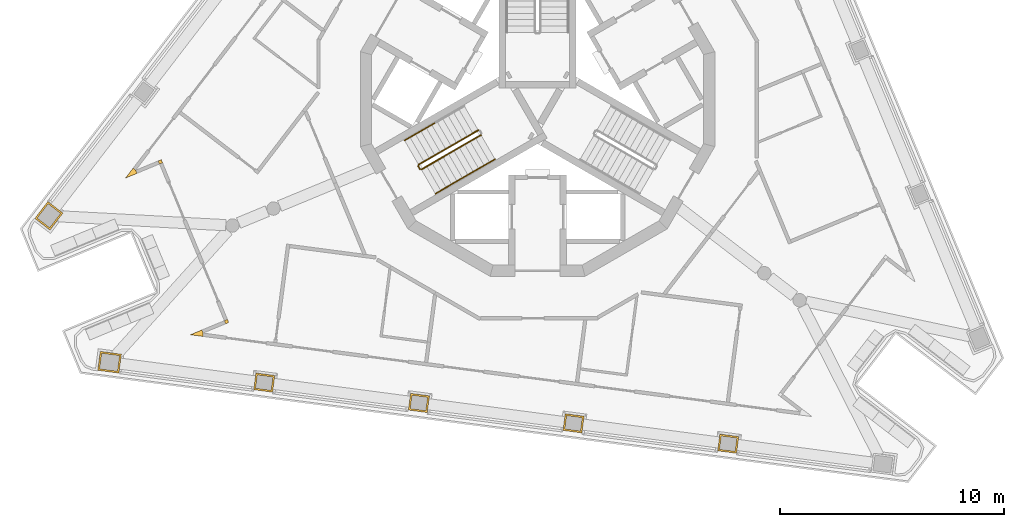
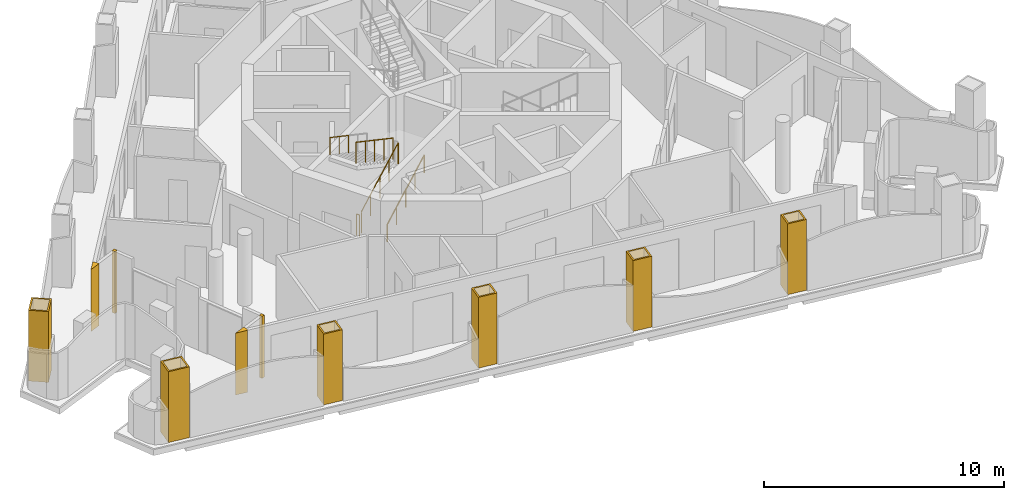
# One storey, part 7 of 12: 10 coverings, 6 railings.
"""IFC4 building model written with IfcOpenShell, lengths in metres."""

from ifc_helpers import new_model, si_unit, direction, frame, origin, origin_2d, place, context, subcontext, project, spatial, polyline, circle, outline, extrude, material, layer, layer_set, type_object, element, save


model = new_model("IFC4")

# Units and contexts
model_context = context("Model", 3, precision=1e-05, world=origin(), true_north=direction((0.0, 1.0)))
body_context = subcontext(model_context, "Body", "Model", "MODEL_VIEW")
ifc_project = project(units=[si_unit("LENGTHUNIT", "METRE"), si_unit("AREAUNIT", "SQUARE_METRE"), si_unit("VOLUMEUNIT", "CUBIC_METRE"), si_unit("PLANEANGLEUNIT", "RADIAN"), si_unit("MASSUNIT", "GRAM", prefix="KILO")], contexts=[model_context])

# Site, building, storey
site_placement = place(None, origin())
site = spatial("IfcSite", under=ifc_project, at=site_placement, CompositionType="ELEMENT")
building_placement = place(site_placement, origin())
building = spatial("IfcBuilding", under=site, at=building_placement, Name="Trine Commons Tower", CompositionType="ELEMENT")
storey_placement = place(building_placement, frame((0.0, 0.0, 297.0)))
storey = spatial("IfcBuildingStorey", under=building, at=storey_placement, Name="L78", CompositionType="ELEMENT", Elevation=297.0)

# Coverings
ifc_material_1 = material(Name="Aluminium-framed insulated wall panel", Category="aluminium")
ifc_layer_1 = layer(ifc_material_1, 0.14990234375)
ifc_layer_set_1 = layer_set([ifc_layer_1], Name="Aluminium-framed insulated wall panel")
covering_type_1 = type_object("IfcCoveringType", Name="Glazing corner post, aluminium", PredefinedType="CLADDING", material=ifc_layer_set_1)
covering_1_placement = place(storey_placement, origin())
element("IfcCovering", 1, at=covering_1_placement, inside=storey, type_object=covering_type_1, Name="Glazing corner post 8-01", PredefinedType="CLADDING", context=body_context, shape_type="SweptSolid", body=[
    extrude(outline(polyline([(62.0380859375, 59.324462890625), (61.919189453125, 59.416015625), (61.578369140625, 58.9716796875), (62.095458984375, 59.18603515625), (62.0380859375, 59.324462890625), (62.0380859375, 59.324462890625)])), origin(), (0.0, 0.0, 1.0), 3.14990234375),
])
covering_2_placement = place(storey_placement, origin())
element("IfcCovering", 2, at=covering_2_placement, inside=storey, type_object=covering_type_1, Name="Glazing corner post 8-10", PredefinedType="CLADDING", context=body_context, shape_type="SweptSolid", body=[
    extrude(outline(polyline([(65.033935546875, 51.895751953125), (65.0537109375, 52.04443359375), (64.99609375, 52.18310546875), (64.47900390625, 51.96875), (65.033935546875, 51.895751953125)])), origin(), (0.0, 0.0, 1.0), 3.14990234375),
])
covering_3_placement = place(storey_placement, origin())
element("IfcCovering", 3, at=covering_3_placement, inside=storey, type_object=covering_type_1, Name="Glazing corner post 8-11", PredefinedType="CLADDING", context=body_context, shape_type="SweptSolid", body=[
    extrude(outline(polyline([(66.056640625, 52.4599609375), (66.1953125, 52.517333984375), (66.137939453125, 52.65576171875), (65.999267578125, 52.598388671875), (66.056640625, 52.4599609375)])), origin(), (0.0, 0.0, 1.0), 3.14990234375),
])
covering_4_placement = place(storey_placement, origin())
element("IfcCovering", 4, at=covering_4_placement, inside=storey, type_object=covering_type_1, Name="Glazing corner post 8-12", PredefinedType="CLADDING", context=body_context, shape_type="SweptSolid", body=[
    extrude(outline(polyline([(63.041015625, 59.739990234375), (63.098388671875, 59.601318359375), (63.237060546875, 59.658935546875), (63.1796875, 59.79736328125), (63.041015625, 59.739990234375)])), origin(), (0.0, 0.0, 1.0), 3.14990234375),
])
ifc_material_2 = material(Name="Limestone, honed", Category="masonry")
ifc_layer_2 = layer(ifc_material_2, 0.074951171875)
ifc_layer_set_2 = layer_set([ifc_layer_2], Name="Limestone, honed")
covering_type_2 = type_object("IfcCoveringType", Name="Limestone column cladding 75", PredefinedType="CLADDING", material=ifc_layer_set_2)
covering_5_placement = place(storey_placement, origin())
element("IfcCovering", 5, at=covering_5_placement, inside=storey, type_object=covering_type_2, Name="Limestone pier cladding 8-02", PredefinedType="CLADDING", context=body_context, shape_type="SweptSolid", body=[
    extrude(outline(polyline([(88.1494140625, 47.526123046875), (88.051513671875, 46.78271484375), (88.89404296875, 46.671630859375), (88.991943359375, 47.415283203125), (88.1494140625, 47.526123046875)]), holes=[polyline([(88.2138671875, 47.44189453125), (88.135498046875, 46.84716796875), (88.82958984375, 46.755859375), (88.907958984375, 47.3505859375), (88.2138671875, 47.44189453125)])]), origin(), (0.0, 0.0, 1.0), 3.60009765625),
])
covering_6_placement = place(storey_placement, origin())
element("IfcCovering", 6, at=covering_6_placement, inside=storey, type_object=covering_type_2, Name="Limestone pier cladding 8-03", PredefinedType="CLADDING", context=body_context, shape_type="SweptSolid", body=[
    extrude(outline(polyline([(81.236328125, 48.436279296875), (81.138427734375, 47.692626953125), (81.981201171875, 47.581787109375), (82.0791015625, 48.3251953125), (81.236328125, 48.436279296875)]), holes=[polyline([(81.30078125, 48.35205078125), (81.222412109375, 47.75732421875), (81.91650390625, 47.666015625), (81.994873046875, 48.2607421875), (81.30078125, 48.35205078125)])]), origin(), (0.0, 0.0, 1.0), 3.60009765625),
])
covering_7_placement = place(storey_placement, origin())
element("IfcCovering", 7, at=covering_7_placement, inside=storey, type_object=covering_type_2, Name="Limestone pier cladding 8-04", PredefinedType="CLADDING", context=body_context, shape_type="SweptSolid", body=[
    extrude(outline(polyline([(74.3232421875, 49.346435546875), (74.225341796875, 48.602783203125), (75.068115234375, 48.49169921875), (75.166015625, 49.2353515625), (74.3232421875, 49.346435546875)]), holes=[polyline([(74.3876953125, 49.26220703125), (74.309326171875, 48.66748046875), (75.00341796875, 48.575927734375), (75.081787109375, 49.1708984375), (74.3876953125, 49.26220703125)])]), origin(), (0.0, 0.0, 1.0), 3.60009765625),
])
covering_8_placement = place(storey_placement, origin())
element("IfcCovering", 8, at=covering_8_placement, inside=storey, type_object=covering_type_2, Name="Limestone pier cladding 8-05", PredefinedType="CLADDING", context=body_context, shape_type="SweptSolid", body=[
    extrude(outline(polyline([(67.41015625, 50.256591796875), (67.312255859375, 49.512939453125), (68.15478515625, 49.40185546875), (68.252685546875, 50.1455078125), (67.41015625, 50.256591796875)]), holes=[polyline([(67.474609375, 50.17236328125), (67.396240234375, 49.577392578125), (68.09033203125, 49.486083984375), (68.168701171875, 50.080810546875), (67.474609375, 50.17236328125)])]), origin(), (0.0, 0.0, 1.0), 3.60009765625),
])
covering_9_placement = place(storey_placement, origin())
element("IfcCovering", 9, at=covering_9_placement, inside=storey, type_object=covering_type_2, Name="Limestone pier cladding 8-06", PredefinedType="CLADDING", context=body_context, shape_type="SweptSolid", body=[
    extrude(outline(polyline([(60.4541015625, 51.22265625), (60.343017578125, 50.3798828125), (61.284912109375, 50.255859375), (61.39599609375, 51.0986328125), (60.4541015625, 51.22265625)]), holes=[polyline([(60.5185546875, 51.138427734375), (60.42724609375, 50.444580078125), (61.220458984375, 50.340087890625), (61.311767578125, 51.0341796875), (60.5185546875, 51.138427734375)])]), origin(), (0.0, 0.0, 1.0), 3.60009765625),
])
covering_10_placement = place(storey_placement, origin())
element("IfcCovering", 10, at=covering_10_placement, inside=storey, type_object=covering_type_2, Name="Limestone pier cladding 8-07", PredefinedType="CLADDING", context=body_context, shape_type="SweptSolid", body=[
    extrude(outline(polyline([(58.782958984375, 57.40673828125), (58.108642578125, 57.92431640625), (57.5302734375, 57.170654296875), (58.20458984375, 56.653076171875), (58.782958984375, 57.40673828125)]), holes=[polyline([(58.677734375, 57.39306640625), (58.122314453125, 57.819091796875), (57.635498046875, 57.184326171875), (58.19091796875, 56.75830078125), (58.677734375, 57.39306640625)])]), origin(), (0.0, 0.0, 1.0), 3.60009765625),
])

# Railings
ifc_material_3 = material(Name="Stainless steel balustrade", Category="steel")
railing_type_1 = type_object("IfcRailingType", Name="Stair guard, steel balustrade 1100", PredefinedType="GUARDRAIL", material=ifc_material_3)
railing_1_placement = place(storey_placement, frame((74.80517578125, 59.3564453125, 0.14990234375)))
element("IfcRailing", 11, at=railing_1_placement, inside=storey, type_object=railing_type_1, Name="L78 ST2D stair guard 1", PredefinedType="GUARDRAIL", context=body_context, shape_type="SweptSolid", body=[
    extrude(circle(Radius=0.02392578125, at=origin_2d()), frame((0.0, 0.0, 1.076171875), z_axis=(0.763379768245, 0.440728498818, 0.472239049384), x_axis=(-0.499992328818, 0.866029832698, 0.0)), (0.0, 0.0, 1.0), 3.494384765625),
    extrude(circle(Radius=0.02099609375, at=origin_2d()), origin(), (0.0, 0.0, 1.0), 1.052001953125),
    extrude(circle(Radius=0.02099609375, at=origin_2d()), frame((0.6669921875, 0.385009765625, 0.41259765625)), (0.0, 0.0, 1.0), 1.052001953125),
    extrude(circle(Radius=0.02099609375, at=origin_2d()), frame((1.333740234375, 0.77001953125, 0.8251953125)), (0.0, 0.0, 1.0), 1.052001953125),
    extrude(circle(Radius=0.02099609375, at=origin_2d()), frame((2.00048828125, 1.155029296875, 1.237548828125)), (0.0, 0.0, 1.0), 1.052001953125),
    extrude(circle(Radius=0.02099609375, at=origin_2d()), frame((2.66748046875, 1.5400390625, 1.650146484375)), (0.0, 0.0, 1.0), 1.052001953125),
])
railing_2_placement = place(storey_placement, frame((77.34765625, 61.113037109375, 1.949951171875)))
element("IfcRailing", 12, at=railing_2_placement, inside=storey, type_object=railing_type_1, Name="L78 ST2D stair guard 3", PredefinedType="GUARDRAIL", context=body_context, shape_type="SweptSolid", body=[
    extrude(circle(Radius=0.02392578125, at=origin_2d()), frame((0.0, 0.0, 1.076171875), z_axis=(-0.763379768245, -0.440728498818, 0.472239049384), x_axis=(0.499992328818, -0.866029832698, 0.0)), (0.0, 0.0, 1.0), 3.494384765625),
    extrude(circle(Radius=0.02099609375, at=origin_2d()), origin(), (0.0, 0.0, 1.0), 1.052001953125),
    extrude(circle(Radius=0.02099609375, at=origin_2d()), frame((-0.6669921875, -0.385009765625, 0.41259765625)), (0.0, 0.0, 1.0), 1.052001953125),
    extrude(circle(Radius=0.02099609375, at=origin_2d()), frame((-1.333740234375, -0.77001953125, 0.8251953125)), (0.0, 0.0, 1.0), 1.052001953125),
    extrude(circle(Radius=0.02099609375, at=origin_2d()), frame((-2.00048828125, -1.155029296875, 1.237548828125)), (0.0, 0.0, 1.0), 1.052001953125),
    extrude(circle(Radius=0.02099609375, at=origin_2d()), frame((-2.66748046875, -1.5400390625, 1.650146484375)), (0.0, 0.0, 1.0), 1.052001953125),
])
railing_3_placement = place(storey_placement, frame((74.73681640625, 59.374755859375, 0.0)))
element("IfcRailing", 13, at=railing_3_placement, inside=storey, type_object=railing_type_1, Name="L78 ST2D stair guard 4", PredefinedType="GUARDRAIL", context=body_context, shape_type="SweptSolid", body=[
    extrude(circle(Radius=0.02392578125, at=origin_2d()), frame((0.0, 0.0, 1.076171875), z_axis=(-0.499816412211, 0.866131372301, 0.0), x_axis=(-0.866131372301, -0.499816412211, 0.0)), (0.0, 0.0, 1.0), 0.14990234375),
    extrude(circle(Radius=0.02099609375, at=origin_2d()), origin(), (0.0, 0.0, 1.0), 1.052001953125),
    extrude(circle(Radius=0.02099609375, at=origin_2d()), frame((-0.074951171875, 0.1298828125, 0.0)), (0.0, 0.0, 1.0), 1.052001953125),
])
ifc_material_4 = material(Name="Stainless steel handrail", Category="steel")
railing_type_2 = type_object("IfcRailingType", Name="Stair handrail, steel 900", PredefinedType="HANDRAIL", material=ifc_material_4)
railing_4_placement = place(storey_placement, frame((75.43017578125, 58.27392578125, 0.14990234375)))
element("IfcRailing", 14, at=railing_4_placement, inside=storey, type_object=railing_type_2, Name="L78 ST2D stair handrail 1", PredefinedType="HANDRAIL", context=body_context, shape_type="SweptSolid", body=[
    extrude(circle(Radius=0.02099609375, at=origin_2d()), frame((0.0, 0.0, 0.87890625), z_axis=(0.763354580307, 0.440713956853, 0.472293333596), x_axis=(-0.499992328818, 0.866029832698, 0.0)), (0.0, 0.0, 1.0), 1.747314453125),
    extrude(circle(Radius=0.01513671875, at=origin_2d()), origin(), (0.0, 0.0, 1.0), 0.85791015625),
    extrude(circle(Radius=0.01513671875, at=origin_2d()), frame((0.6669921875, 0.385009765625, 0.41259765625)), (0.0, 0.0, 1.0), 0.85791015625),
    extrude(circle(Radius=0.01513671875, at=origin_2d()), frame((1.333740234375, 0.77001953125, 0.8251953125)), (0.0, 0.0, 1.0), 0.85791015625),
])
railing_5_placement = place(storey_placement, frame((76.763916015625, 59.0439453125, 0.97509765625)))
element("IfcRailing", 15, at=railing_5_placement, inside=storey, type_object=railing_type_2, Name="L78 ST2D stair handrail 2", PredefinedType="HANDRAIL", context=body_context, shape_type="SweptSolid", body=[
    extrude(circle(Radius=0.02099609375, at=origin_2d()), frame((0.0, 0.0, 0.87890625), z_axis=(0.76340495495, 0.440743040072, 0.472184759798), x_axis=(-0.499992328818, 0.866029832698, 0.0)), (0.0, 0.0, 1.0), 1.7470703125),
    extrude(circle(Radius=0.01513671875, at=origin_2d()), origin(), (0.0, 0.0, 1.0), 0.85791015625),
    extrude(circle(Radius=0.01513671875, at=origin_2d()), frame((0.6669921875, 0.385009765625, 0.41259765625)), (0.0, 0.0, 1.0), 0.85791015625),
    extrude(circle(Radius=0.01513671875, at=origin_2d()), frame((1.333740234375, 0.77001953125, 0.824951171875)), (0.0, 0.0, 1.0), 0.85791015625),
])
railing_6_placement = place(storey_placement, frame((75.388916015625, 61.425537109375, 2.77490234375)))
element("IfcRailing", 16, at=railing_6_placement, inside=storey, type_object=railing_type_2, Name="L78 ST2D stair handrail 4", PredefinedType="HANDRAIL", context=body_context, shape_type="SweptSolid", body=[
    extrude(circle(Radius=0.02099609375, at=origin_2d()), frame((0.0, 0.0, 0.87890625), z_axis=(-0.763354580307, -0.440713956853, 0.472293333596), x_axis=(0.499992328818, -0.866029832698, 0.0)), (0.0, 0.0, 1.0), 1.747314453125),
    extrude(circle(Radius=0.01513671875, at=origin_2d()), origin(), (0.0, 0.0, 1.0), 0.85791015625),
    extrude(circle(Radius=0.01513671875, at=origin_2d()), frame((-0.6669921875, -0.385009765625, 0.41259765625)), (0.0, 0.0, 1.0), 0.85791015625),
    extrude(circle(Radius=0.01513671875, at=origin_2d()), frame((-1.333740234375, -0.77001953125, 0.8251953125)), (0.0, 0.0, 1.0), 0.85791015625),
])

save(model, "model.ifc")
